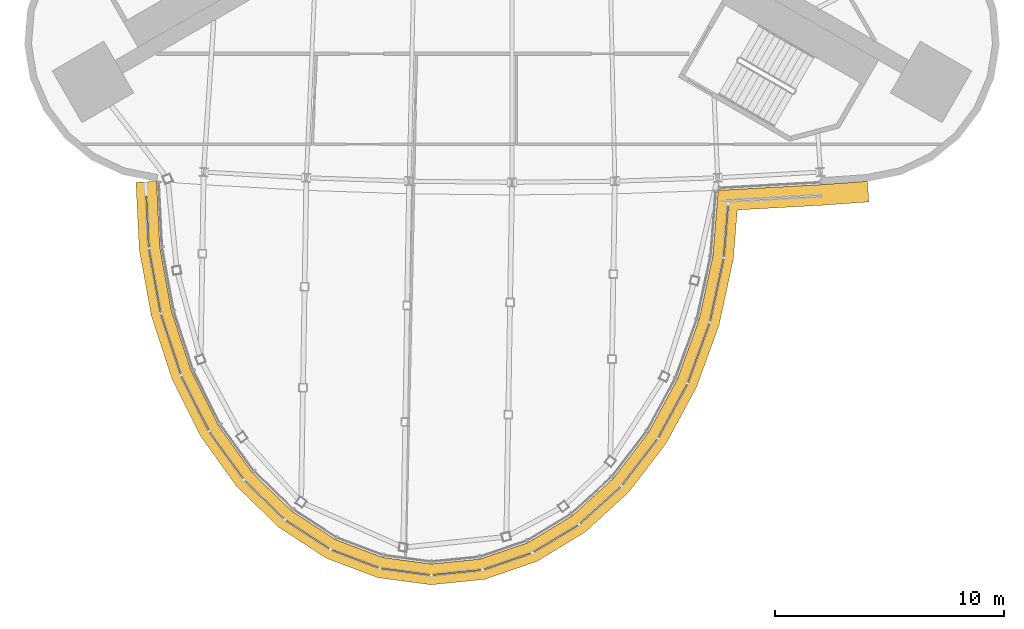
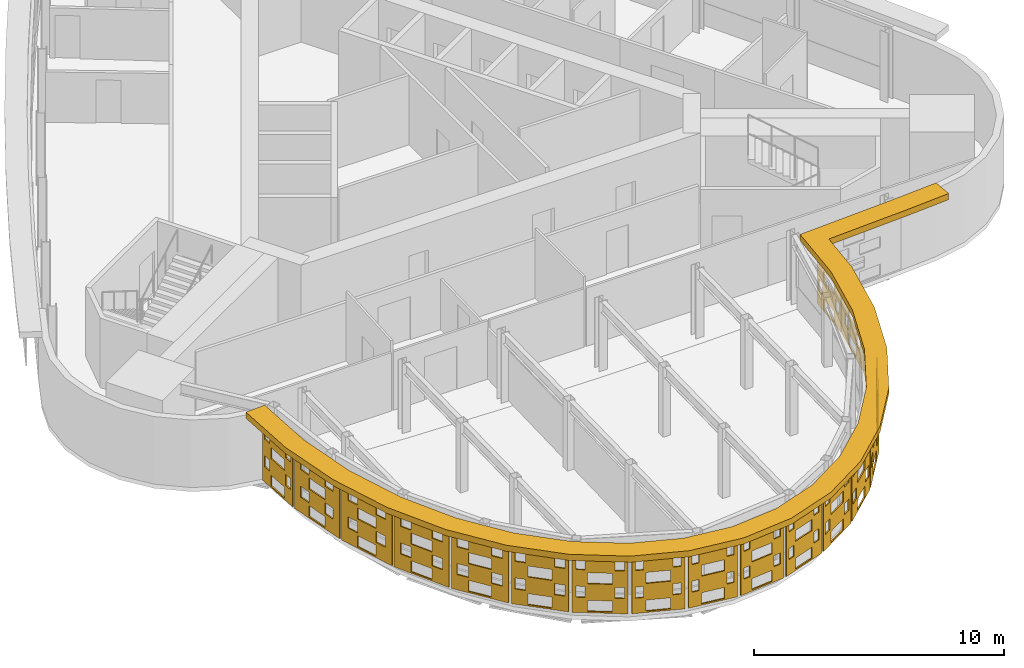
# One storey, part 13 of 15: 19 shading devices.
"""IFC4 building model written with IfcOpenShell, lengths in metres."""

from ifc_helpers import new_model, si_unit, direction, frame, origin, place, context, subcontext, project, spatial, polyline, outline, extrude, material, layer, layer_set, type_object, element, save


model = new_model("IFC4")

# Units and contexts
model_context = context("Model", 3, precision=1e-05, world=origin(), true_north=direction((0.0, 1.0)))
body_context = subcontext(model_context, "Body", "Model", "MODEL_VIEW")
ifc_project = project(units=[si_unit("LENGTHUNIT", "METRE"), si_unit("AREAUNIT", "SQUARE_METRE"), si_unit("VOLUMEUNIT", "CUBIC_METRE"), si_unit("PLANEANGLEUNIT", "RADIAN"), si_unit("MASSUNIT", "GRAM", prefix="KILO")], contexts=[model_context])

# Site, building, storey
site_placement = place(None, origin())
site = spatial("IfcSite", under=ifc_project, at=site_placement, CompositionType="ELEMENT")
building_placement = place(site_placement, origin())
building = spatial("IfcBuilding", under=site, at=building_placement, Name="Noor Cloister Tower", CompositionType="ELEMENT")
storey_placement = place(building_placement, frame((0.0, 0.0, 225.60009765625)))
storey = spatial("IfcBuildingStorey", under=building, at=storey_placement, Name="L58", CompositionType="ELEMENT", Elevation=225.60009765625)

# Shading devices
ifc_material_1 = material(Name="Limestone", Category="masonry")
ifc_layer = layer(ifc_material_1, 0.06005859375)
ifc_layer_set = layer_set([ifc_layer], Name="SCREEN woven limestone pod 35 percent open")
shading_device_type_1 = type_object("IfcShadingDeviceType", Name="SCREEN woven limestone pod 35 percent open", PredefinedType="USERDEFINED", material=ifc_layer_set)
shading_device_1_placement = place(storey_placement, frame((-15.8720703125, -16.65380859375, 1.849853515625), z_axis=(-0.998802653687, -0.048920946303, 0.0), x_axis=(0.048920946303, -0.998802653687, 0.0)))
element("IfcShadingDevice", 1, at=shading_device_1_placement, inside=storey, type_object=shading_device_type_1, Name="SCREEN L58 1", ObjectType="SCREEN", PredefinedType="USERDEFINED", context=body_context, shape_type="SweptSolid", body=[
    extrude(outline(polyline([(-1.11572265625, -1.35009765625), (1.11572265625, -1.35009765625), (1.11572265625, 1.35009765625), (-1.11572265625, 1.35009765625), (-1.11572265625, -1.35009765625)]), holes=[polyline([(-0.5, -1.282470703125), (0.5, -1.282470703125), (0.5, -0.742431640625), (-0.5, -0.742431640625), (-0.5, -1.282470703125)]), polyline([(0.60009765625, -0.607421875), (0.965576171875, -0.607421875), (0.965576171875, -0.0673828125), (0.60009765625, -0.0673828125), (0.60009765625, -0.607421875)]), polyline([(-0.965576171875, -0.607421875), (-0.60009765625, -0.607421875), (-0.60009765625, -0.0673828125), (-0.965576171875, -0.0673828125), (-0.965576171875, -0.607421875)]), polyline([(-0.5, 0.0673828125), (0.5, 0.0673828125), (0.5, 0.607421875), (-0.5, 0.607421875), (-0.5, 0.0673828125)]), polyline([(0.60009765625, 0.742431640625), (0.965576171875, 0.742431640625), (0.965576171875, 1.282470703125), (0.60009765625, 1.282470703125), (0.60009765625, 0.742431640625)]), polyline([(-0.965576171875, 0.742431640625), (-0.60009765625, 0.742431640625), (-0.60009765625, 1.282470703125), (-0.965576171875, 1.282470703125), (-0.965576171875, 0.742431640625)])]), origin(), (0.0, 0.0, 1.0), 0.059814453125),
])
shading_device_2_placement = place(storey_placement, frame((-15.5556640625, -19.240234375, 1.849853515625), z_axis=(-0.9838699101, -0.1788854382, 0.0), x_axis=(0.1788854382, -0.9838699101, 0.0)))
element("IfcShadingDevice", 2, at=shading_device_2_placement, inside=storey, type_object=shading_device_type_1, Name="SCREEN L58 2", ObjectType="SCREEN", PredefinedType="USERDEFINED", context=body_context, shape_type="SweptSolid", body=[
    extrude(outline(polyline([(-1.396240234375, -1.35009765625), (1.396240234375, -1.35009765625), (1.396240234375, 1.35009765625), (-1.396240234375, 1.35009765625), (-1.396240234375, -1.35009765625)]), holes=[polyline([(-0.5, -1.282470703125), (0.5, -1.282470703125), (0.5, -0.742431640625), (-0.5, -0.742431640625), (-0.5, -1.282470703125)]), polyline([(-1.0, -0.607421875), (-0.5, -0.607421875), (-0.5, -0.0673828125), (-1.0, -0.0673828125), (-1.0, -0.607421875)]), polyline([(0.5, -0.607421875), (1.0, -0.607421875), (1.0, -0.0673828125), (0.5, -0.0673828125), (0.5, -0.607421875)]), polyline([(-0.5, 0.0673828125), (0.5, 0.0673828125), (0.5, 0.607421875), (-0.5, 0.607421875), (-0.5, 0.0673828125)]), polyline([(-1.0, 0.742431640625), (-0.5, 0.742431640625), (-0.5, 1.282470703125), (-1.0, 1.282470703125), (-1.0, 0.742431640625)]), polyline([(0.5, 0.742431640625), (1.0, 0.742431640625), (1.0, 1.282470703125), (0.5, 1.282470703125), (0.5, 0.742431640625)])]), origin(), (0.0, 0.0, 1.0), 0.06005859375),
])
shading_device_3_placement = place(storey_placement, frame((-14.85595703125, -22.00341796875, 1.849853515625), z_axis=(-0.949894076132, -0.312571982317, 0.0), x_axis=(0.312571982317, -0.949894076132, 0.0)))
element("IfcShadingDevice", 3, at=shading_device_3_placement, inside=storey, type_object=shading_device_type_1, Name="SCREEN L58 3", ObjectType="SCREEN", PredefinedType="USERDEFINED", context=body_context, shape_type="SweptSolid", body=[
    extrude(outline(polyline([(-1.359375, -1.35009765625), (1.359375, -1.35009765625), (1.359375, 1.35009765625), (-1.359375, 1.35009765625), (-1.359375, -1.35009765625)]), holes=[polyline([(-0.5, -1.282470703125), (0.5, -1.282470703125), (0.5, -0.742431640625), (-0.5, -0.742431640625), (-0.5, -1.282470703125)]), polyline([(-1.0, -0.607421875), (-0.5, -0.607421875), (-0.5, -0.0673828125), (-1.0, -0.0673828125), (-1.0, -0.607421875)]), polyline([(0.5, -0.607421875), (1.0, -0.607421875), (1.0, -0.0673828125), (0.5, -0.0673828125), (0.5, -0.607421875)]), polyline([(-0.5, 0.0673828125), (0.5, 0.0673828125), (0.5, 0.607421875), (-0.5, 0.607421875), (-0.5, 0.0673828125)]), polyline([(-1.0, 0.742431640625), (-0.5, 0.742431640625), (-0.5, 1.282470703125), (-1.0, 1.282470703125), (-1.0, 0.742431640625)]), polyline([(0.5, 0.742431640625), (1.0, 0.742431640625), (1.0, 1.282470703125), (0.5, 1.282470703125), (0.5, 0.742431640625)])]), origin(), (0.0, 0.0, 1.0), 0.06005859375),
])
shading_device_4_placement = place(storey_placement, frame((-13.80712890625, -24.562255859375, 1.849853515625), z_axis=(-0.893609619956, -0.44884501459, 0.0), x_axis=(0.44884501459, -0.893609619956, 0.0)))
element("IfcShadingDevice", 4, at=shading_device_4_placement, inside=storey, type_object=shading_device_type_1, Name="SCREEN L58 4", ObjectType="SCREEN", PredefinedType="USERDEFINED", context=body_context, shape_type="SweptSolid", body=[
    extrude(outline(polyline([(-1.307861328125, -1.35009765625), (1.307861328125, -1.35009765625), (1.307861328125, 1.35009765625), (-1.307861328125, 1.35009765625), (-1.307861328125, -1.35009765625)]), holes=[polyline([(-0.5, -1.282470703125), (0.5, -1.282470703125), (0.5, -0.742431640625), (-0.5, -0.742431640625), (-0.5, -1.282470703125)]), polyline([(-1.0, -0.607421875), (-0.5, -0.607421875), (-0.5, -0.0673828125), (-1.0, -0.0673828125), (-1.0, -0.607421875)]), polyline([(0.5, -0.607421875), (1.0, -0.607421875), (1.0, -0.0673828125), (0.5, -0.0673828125), (0.5, -0.607421875)]), polyline([(-0.5, 0.0673828125), (0.5, 0.0673828125), (0.5, 0.607421875), (-0.5, 0.607421875), (-0.5, 0.0673828125)]), polyline([(-1.0, 0.742431640625), (-0.5, 0.742431640625), (-0.5, 1.282470703125), (-1.0, 1.282470703125), (-1.0, 0.742431640625)]), polyline([(0.5, 0.742431640625), (1.0, 0.742431640625), (1.0, 1.282470703125), (0.5, 1.282470703125), (0.5, 0.742431640625)])]), origin(), (0.0, 0.0, 1.0), 0.059814453125),
])
shading_device_5_placement = place(storey_placement, frame((-12.437744140625, -26.840087890625, 1.849853515625), z_axis=(-0.81014213461, -0.586233504441, 0.0), x_axis=(0.586233504441, -0.81014213461, 0.0)))
element("IfcShadingDevice", 5, at=shading_device_5_placement, inside=storey, type_object=shading_device_type_1, Name="SCREEN L58 5", ObjectType="SCREEN", PredefinedType="USERDEFINED", context=body_context, shape_type="SweptSolid", body=[
    extrude(outline(polyline([(-1.24658203125, -1.35009765625), (1.24658203125, -1.35009765625), (1.24658203125, 1.35009765625), (-1.24658203125, 1.35009765625), (-1.24658203125, -1.35009765625)]), holes=[polyline([(-0.5, -1.282470703125), (0.5, -1.282470703125), (0.5, -0.742431640625), (-0.5, -0.742431640625), (-0.5, -1.282470703125)]), polyline([(-1.0, -0.607421875), (-0.5, -0.607421875), (-0.5, -0.0673828125), (-1.0, -0.0673828125), (-1.0, -0.607421875)]), polyline([(0.5, -0.607421875), (1.0, -0.607421875), (1.0, -0.0673828125), (0.5, -0.0673828125), (0.5, -0.607421875)]), polyline([(-0.5, 0.0673828125), (0.5, 0.0673828125), (0.5, 0.607421875), (-0.5, 0.607421875), (-0.5, 0.0673828125)]), polyline([(-1.0, 0.742431640625), (-0.5, 0.742431640625), (-0.5, 1.282470703125), (-1.0, 1.282470703125), (-1.0, 0.742431640625)]), polyline([(0.5, 0.742431640625), (1.0, 0.742431640625), (1.0, 1.282470703125), (0.5, 1.282470703125), (0.5, 0.742431640625)])]), origin(), (0.0, 0.0, 1.0), 0.06005859375),
])
shading_device_6_placement = place(storey_placement, frame((-10.785888671875, -28.767822265625, 1.849853515625), z_axis=(-0.696845584905, -0.717221186803, 0.0), x_axis=(0.717221186803, -0.696845584905, 0.0)))
element("IfcShadingDevice", 6, at=shading_device_6_placement, inside=storey, type_object=shading_device_type_1, Name="SCREEN L58 6", ObjectType="SCREEN", PredefinedType="USERDEFINED", context=body_context, shape_type="SweptSolid", body=[
    extrude(outline(polyline([(-1.182373046875, -1.35009765625), (1.182373046875, -1.35009765625), (1.182373046875, 1.35009765625), (-1.182373046875, 1.35009765625), (-1.182373046875, -1.35009765625)]), holes=[polyline([(-0.5, -1.282470703125), (0.5, -1.282470703125), (0.5, -0.742431640625), (-0.5, -0.742431640625), (-0.5, -1.282470703125)]), polyline([(0.60009765625, -0.607421875), (1.032470703125, -0.607421875), (1.032470703125, -0.0673828125), (0.60009765625, -0.0673828125), (0.60009765625, -0.607421875)]), polyline([(-1.032470703125, -0.607421875), (-0.60009765625, -0.607421875), (-0.60009765625, -0.0673828125), (-1.032470703125, -0.0673828125), (-1.032470703125, -0.607421875)]), polyline([(-0.5, 0.0673828125), (0.5, 0.0673828125), (0.5, 0.607421875), (-0.5, 0.607421875), (-0.5, 0.0673828125)]), polyline([(0.60009765625, 0.742431640625), (1.032470703125, 0.742431640625), (1.032470703125, 1.282470703125), (0.60009765625, 1.282470703125), (0.60009765625, 0.742431640625)]), polyline([(-1.032470703125, 0.742431640625), (-0.60009765625, 0.742431640625), (-0.60009765625, 1.282470703125), (-1.032470703125, 1.282470703125), (-1.032470703125, 0.742431640625)])]), origin(), (0.0, 0.0, 1.0), 0.059814453125),
])
shading_device_7_placement = place(storey_placement, frame((-8.897705078125, -30.284423828125, 1.849853515625), z_axis=(-0.545274379459, -0.838257628123, 0.0), x_axis=(0.838257628123, -0.545274379459, 0.0)))
element("IfcShadingDevice", 7, at=shading_device_7_placement, inside=storey, type_object=shading_device_type_1, Name="SCREEN L58 7", ObjectType="SCREEN", PredefinedType="USERDEFINED", context=body_context, shape_type="SweptSolid", body=[
    extrude(outline(polyline([(-1.122802734375, -1.35009765625), (1.122802734375, -1.35009765625), (1.122802734375, 1.35009765625), (-1.122802734375, 1.35009765625), (-1.122802734375, -1.35009765625)]), holes=[polyline([(-0.5, -1.282470703125), (0.5, -1.282470703125), (0.5, -0.742431640625), (-0.5, -0.742431640625), (-0.5, -1.282470703125)]), polyline([(0.60009765625, -0.607421875), (0.972900390625, -0.607421875), (0.972900390625, -0.0673828125), (0.60009765625, -0.0673828125), (0.60009765625, -0.607421875)]), polyline([(-0.972900390625, -0.607421875), (-0.60009765625, -0.607421875), (-0.60009765625, -0.0673828125), (-0.972900390625, -0.0673828125), (-0.972900390625, -0.607421875)]), polyline([(-0.5, 0.0673828125), (0.5, 0.0673828125), (0.5, 0.607421875), (-0.5, 0.607421875), (-0.5, 0.0673828125)]), polyline([(0.60009765625, 0.742431640625), (0.972900390625, 0.742431640625), (0.972900390625, 1.282470703125), (0.60009765625, 1.282470703125), (0.60009765625, 0.742431640625)]), polyline([(-0.972900390625, 0.742431640625), (-0.60009765625, 0.742431640625), (-0.60009765625, 1.282470703125), (-0.972900390625, 1.282470703125), (-0.972900390625, 0.742431640625)])]), origin(), (0.0, 0.0, 1.0), 0.06005859375),
])
shading_device_8_placement = place(storey_placement, frame((-6.828369140625, -31.340087890625, 1.849853515625), z_axis=(-0.355146418402, -0.934810687517, 0.0), x_axis=(0.934810687517, -0.355146418402, 0.0)))
element("IfcShadingDevice", 8, at=shading_device_8_placement, inside=storey, type_object=shading_device_type_1, Name="SCREEN L58 8", ObjectType="SCREEN", PredefinedType="USERDEFINED", context=body_context, shape_type="SweptSolid", body=[
    extrude(outline(polyline([(-1.07666015625, -1.35009765625), (1.07666015625, -1.35009765625), (1.07666015625, 1.35009765625), (-1.07666015625, 1.35009765625), (-1.07666015625, -1.35009765625)]), holes=[polyline([(-0.5, -1.282470703125), (0.5, -1.282470703125), (0.5, -0.742431640625), (-0.5, -0.742431640625), (-0.5, -1.282470703125)]), polyline([(0.60009765625, -0.607421875), (0.9267578125, -0.607421875), (0.9267578125, -0.0673828125), (0.60009765625, -0.0673828125), (0.60009765625, -0.607421875)]), polyline([(-0.9267578125, -0.607421875), (-0.60009765625, -0.607421875), (-0.60009765625, -0.0673828125), (-0.9267578125, -0.0673828125), (-0.9267578125, -0.607421875)]), polyline([(-0.5, 0.0673828125), (0.5, 0.0673828125), (0.5, 0.607421875), (-0.5, 0.607421875), (-0.5, 0.0673828125)]), polyline([(0.60009765625, 0.742431640625), (0.9267578125, 0.742431640625), (0.9267578125, 1.282470703125), (0.60009765625, 1.282470703125), (0.60009765625, 0.742431640625)]), polyline([(-0.9267578125, 0.742431640625), (-0.60009765625, 0.742431640625), (-0.60009765625, 1.282470703125), (-0.9267578125, 1.282470703125), (-0.9267578125, 0.742431640625)])]), origin(), (0.0, 0.0, 1.0), 0.059814453125),
])
shading_device_9_placement = place(storey_placement, frame((-4.641357421875, -31.896240234375, 1.849853515625), z_axis=(-0.134025693798, -0.99097785717, 0.0), x_axis=(0.99097785717, -0.134025693798, 0.0)))
element("IfcShadingDevice", 9, at=shading_device_9_placement, inside=storey, type_object=shading_device_type_1, Name="SCREEN L58 9", ObjectType="SCREEN", PredefinedType="USERDEFINED", context=body_context, shape_type="SweptSolid", body=[
    extrude(outline(polyline([(-1.05126953125, -1.35009765625), (1.05126953125, -1.35009765625), (1.05126953125, 1.35009765625), (-1.05126953125, 1.35009765625), (-1.05126953125, -1.35009765625)]), holes=[polyline([(-0.5, -1.282470703125), (0.5, -1.282470703125), (0.5, -0.742431640625), (-0.5, -0.742431640625), (-0.5, -1.282470703125)]), polyline([(0.60009765625, -0.607421875), (0.9013671875, -0.607421875), (0.9013671875, -0.0673828125), (0.60009765625, -0.0673828125), (0.60009765625, -0.607421875)]), polyline([(-0.9013671875, -0.607421875), (-0.60009765625, -0.607421875), (-0.60009765625, -0.0673828125), (-0.9013671875, -0.0673828125), (-0.9013671875, -0.607421875)]), polyline([(-0.5, 0.0673828125), (0.5, 0.0673828125), (0.5, 0.607421875), (-0.5, 0.607421875), (-0.5, 0.0673828125)]), polyline([(0.60009765625, 0.742431640625), (0.9013671875, 0.742431640625), (0.9013671875, 1.282470703125), (0.60009765625, 1.282470703125), (0.60009765625, 0.742431640625)]), polyline([(-0.9013671875, 0.742431640625), (-0.60009765625, 0.742431640625), (-0.60009765625, 1.282470703125), (-0.9013671875, 1.282470703125), (-0.9013671875, 0.742431640625)])]), origin(), (0.0, 0.0, 1.0), 0.06005859375),
])
shading_device_10_placement = place(storey_placement, frame((-2.408447265625, -31.93212890625, 1.849853515625), z_axis=(0.101925414299, -0.994792043555, 0.0), x_axis=(0.994792043555, 0.101925414299, 0.0)))
element("IfcShadingDevice", 10, at=shading_device_10_placement, inside=storey, type_object=shading_device_type_1, Name="SCREEN L58 10", ObjectType="SCREEN", PredefinedType="USERDEFINED", context=body_context, shape_type="SweptSolid", body=[
    extrude(outline(polyline([(-1.05126953125, -1.35009765625), (1.05126953125, -1.35009765625), (1.05126953125, 1.35009765625), (-1.05126953125, 1.35009765625), (-1.05126953125, -1.35009765625)]), holes=[polyline([(-0.5, -1.282470703125), (0.5, -1.282470703125), (0.5, -0.742431640625), (-0.5, -0.742431640625), (-0.5, -1.282470703125)]), polyline([(0.60009765625, -0.607421875), (0.9013671875, -0.607421875), (0.9013671875, -0.0673828125), (0.60009765625, -0.0673828125), (0.60009765625, -0.607421875)]), polyline([(-0.9013671875, -0.607421875), (-0.60009765625, -0.607421875), (-0.60009765625, -0.0673828125), (-0.9013671875, -0.0673828125), (-0.9013671875, -0.607421875)]), polyline([(-0.5, 0.0673828125), (0.5, 0.0673828125), (0.5, 0.607421875), (-0.5, 0.607421875), (-0.5, 0.0673828125)]), polyline([(0.60009765625, 0.742431640625), (0.9013671875, 0.742431640625), (0.9013671875, 1.282470703125), (0.60009765625, 1.282470703125), (0.60009765625, 0.742431640625)]), polyline([(-0.9013671875, 0.742431640625), (-0.60009765625, 0.742431640625), (-0.60009765625, 1.282470703125), (-0.9013671875, 1.282470703125), (-0.9013671875, 0.742431640625)])]), origin(), (0.0, 0.0, 1.0), 0.059814453125),
])
shading_device_11_placement = place(storey_placement, frame((-0.204833984375, -31.4462890625, 1.849853515625), z_axis=(0.325990683319, -0.945372981626, 0.0), x_axis=(0.945372981626, 0.325990683319, 0.0)))
element("IfcShadingDevice", 11, at=shading_device_11_placement, inside=storey, type_object=shading_device_type_1, Name="SCREEN L58 11", ObjectType="SCREEN", PredefinedType="USERDEFINED", context=body_context, shape_type="SweptSolid", body=[
    extrude(outline(polyline([(-1.07666015625, -1.35009765625), (1.07666015625, -1.35009765625), (1.07666015625, 1.35009765625), (-1.07666015625, 1.35009765625), (-1.07666015625, -1.35009765625)]), holes=[polyline([(-0.5, -1.282470703125), (0.5, -1.282470703125), (0.5, -0.742431640625), (-0.5, -0.742431640625), (-0.5, -1.282470703125)]), polyline([(0.60009765625, -0.607421875), (0.9267578125, -0.607421875), (0.9267578125, -0.0673828125), (0.60009765625, -0.0673828125), (0.60009765625, -0.607421875)]), polyline([(-0.9267578125, -0.607421875), (-0.60009765625, -0.607421875), (-0.60009765625, -0.0673828125), (-0.9267578125, -0.0673828125), (-0.9267578125, -0.607421875)]), polyline([(-0.5, 0.0673828125), (0.5, 0.0673828125), (0.5, 0.607421875), (-0.5, 0.607421875), (-0.5, 0.0673828125)]), polyline([(0.60009765625, 0.742431640625), (0.9267578125, 0.742431640625), (0.9267578125, 1.282470703125), (0.60009765625, 1.282470703125), (0.60009765625, 0.742431640625)]), polyline([(-0.9267578125, 0.742431640625), (-0.60009765625, 0.742431640625), (-0.60009765625, 1.282470703125), (-0.9267578125, 1.282470703125), (-0.9267578125, 0.742431640625)])]), origin(), (0.0, 0.0, 1.0), 0.059814453125),
])
shading_device_12_placement = place(storey_placement, frame((1.8974609375, -30.457763671875, 1.849853515625), z_axis=(0.517488728384, -0.855690023312, 0.0), x_axis=(0.855690023312, 0.517488728384, 0.0)))
element("IfcShadingDevice", 12, at=shading_device_12_placement, inside=storey, type_object=shading_device_type_1, Name="SCREEN L58 12", ObjectType="SCREEN", PredefinedType="USERDEFINED", context=body_context, shape_type="SweptSolid", body=[
    extrude(outline(polyline([(-1.122802734375, -1.35009765625), (1.122802734375, -1.35009765625), (1.122802734375, 1.35009765625), (-1.122802734375, 1.35009765625), (-1.122802734375, -1.35009765625)]), holes=[polyline([(-0.5, -1.282470703125), (0.5, -1.282470703125), (0.5, -0.742431640625), (-0.5, -0.742431640625), (-0.5, -1.282470703125)]), polyline([(0.60009765625, -0.607421875), (0.972900390625, -0.607421875), (0.972900390625, -0.0673828125), (0.60009765625, -0.0673828125), (0.60009765625, -0.607421875)]), polyline([(-0.972900390625, -0.607421875), (-0.60009765625, -0.607421875), (-0.60009765625, -0.0673828125), (-0.972900390625, -0.0673828125), (-0.972900390625, -0.607421875)]), polyline([(-0.5, 0.0673828125), (0.5, 0.0673828125), (0.5, 0.607421875), (-0.5, 0.607421875), (-0.5, 0.0673828125)]), polyline([(0.60009765625, 0.742431640625), (0.972900390625, 0.742431640625), (0.972900390625, 1.282470703125), (0.60009765625, 1.282470703125), (0.60009765625, 0.742431640625)]), polyline([(-0.972900390625, 0.742431640625), (-0.60009765625, 0.742431640625), (-0.60009765625, 1.282470703125), (-0.972900390625, 1.282470703125), (-0.972900390625, 0.742431640625)])]), origin(), (0.0, 0.0, 1.0), 0.059814453125),
])
shading_device_13_placement = place(storey_placement, frame((3.833251953125, -29.002197265625, 1.849853515625), z_axis=(0.671659103057, -0.740860343979, 0.0), x_axis=(0.740860343979, 0.671659103057, 0.0)))
element("IfcShadingDevice", 13, at=shading_device_13_placement, inside=storey, type_object=shading_device_type_1, Name="SCREEN L58 13", ObjectType="SCREEN", PredefinedType="USERDEFINED", context=body_context, shape_type="SweptSolid", body=[
    extrude(outline(polyline([(-1.182373046875, -1.35009765625), (1.182373046875, -1.35009765625), (1.182373046875, 1.35009765625), (-1.182373046875, 1.35009765625), (-1.182373046875, -1.35009765625)]), holes=[polyline([(-0.5, -1.282470703125), (0.5, -1.282470703125), (0.5, -0.742431640625), (-0.5, -0.742431640625), (-0.5, -1.282470703125)]), polyline([(0.60009765625, -0.607421875), (1.032470703125, -0.607421875), (1.032470703125, -0.0673828125), (0.60009765625, -0.0673828125), (0.60009765625, -0.607421875)]), polyline([(-1.032470703125, -0.607421875), (-0.60009765625, -0.607421875), (-0.60009765625, -0.0673828125), (-1.032470703125, -0.0673828125), (-1.032470703125, -0.607421875)]), polyline([(-0.5, 0.0673828125), (0.5, 0.0673828125), (0.5, 0.607421875), (-0.5, 0.607421875), (-0.5, 0.0673828125)]), polyline([(0.60009765625, 0.742431640625), (1.032470703125, 0.742431640625), (1.032470703125, 1.282470703125), (0.60009765625, 1.282470703125), (0.60009765625, 0.742431640625)]), polyline([(-1.032470703125, 0.742431640625), (-0.60009765625, 0.742431640625), (-0.60009765625, 1.282470703125), (-1.032470703125, 1.282470703125), (-1.032470703125, 0.742431640625)])]), origin(), (0.0, 0.0, 1.0), 0.06005859375),
])
shading_device_14_placement = place(storey_placement, frame((5.5458984375, -27.128662109375, 1.849853515625), z_axis=(0.792623989105, -0.60971076085, 0.0), x_axis=(0.60971076085, 0.792623989105, 0.0)))
element("IfcShadingDevice", 14, at=shading_device_14_placement, inside=storey, type_object=shading_device_type_1, Name="SCREEN L58 14", ObjectType="SCREEN", PredefinedType="USERDEFINED", context=body_context, shape_type="SweptSolid", body=[
    extrude(outline(polyline([(-1.24658203125, -1.35009765625), (1.24658203125, -1.35009765625), (1.24658203125, 1.35009765625), (-1.24658203125, 1.35009765625), (-1.24658203125, -1.35009765625)]), holes=[polyline([(-0.5, -1.282470703125), (0.5, -1.282470703125), (0.5, -0.742431640625), (-0.5, -0.742431640625), (-0.5, -1.282470703125)]), polyline([(-1.0, -0.607421875), (-0.5, -0.607421875), (-0.5, -0.0673828125), (-1.0, -0.0673828125), (-1.0, -0.607421875)]), polyline([(0.5, -0.607421875), (1.0, -0.607421875), (1.0, -0.0673828125), (0.5, -0.0673828125), (0.5, -0.607421875)]), polyline([(-0.5, 0.0673828125), (0.5, 0.0673828125), (0.5, 0.607421875), (-0.5, 0.607421875), (-0.5, 0.0673828125)]), polyline([(-1.0, 0.742431640625), (-0.5, 0.742431640625), (-0.5, 1.282470703125), (-1.0, 1.282470703125), (-1.0, 0.742431640625)]), polyline([(0.5, 0.742431640625), (1.0, 0.742431640625), (1.0, 1.282470703125), (0.5, 1.282470703125), (0.5, 0.742431640625)])]), origin(), (0.0, 0.0, 1.0), 0.06005859375),
])
shading_device_15_placement = place(storey_placement, frame((6.98779296875, -24.89599609375, 1.849853515625), z_axis=(0.879291966537, -0.476283148541, 0.0), x_axis=(0.476283148541, 0.879291966537, 0.0)))
element("IfcShadingDevice", 15, at=shading_device_15_placement, inside=storey, type_object=shading_device_type_1, Name="SCREEN L58 15", ObjectType="SCREEN", PredefinedType="USERDEFINED", context=body_context, shape_type="SweptSolid", body=[
    extrude(outline(polyline([(-1.307861328125, -1.35009765625), (1.307861328125, -1.35009765625), (1.307861328125, 1.35009765625), (-1.307861328125, 1.35009765625), (-1.307861328125, -1.35009765625)]), holes=[polyline([(-0.5, -1.282470703125), (0.5, -1.282470703125), (0.5, -0.742431640625), (-0.5, -0.742431640625), (-0.5, -1.282470703125)]), polyline([(-1.0, -0.607421875), (-0.5, -0.607421875), (-0.5, -0.0673828125), (-1.0, -0.0673828125), (-1.0, -0.607421875)]), polyline([(0.5, -0.607421875), (1.0, -0.607421875), (1.0, -0.0673828125), (0.5, -0.0673828125), (0.5, -0.607421875)]), polyline([(-0.5, 0.0673828125), (0.5, 0.0673828125), (0.5, 0.607421875), (-0.5, 0.607421875), (-0.5, 0.0673828125)]), polyline([(-1.0, 0.742431640625), (-0.5, 0.742431640625), (-0.5, 1.282470703125), (-1.0, 1.282470703125), (-1.0, 0.742431640625)]), polyline([(0.5, 0.742431640625), (1.0, 0.742431640625), (1.0, 1.282470703125), (0.5, 1.282470703125), (0.5, 0.742431640625)])]), origin(), (0.0, 0.0, 1.0), 0.06005859375),
])
shading_device_16_placement = place(storey_placement, frame((8.1181640625, -22.3720703125, 1.849853515625), z_axis=(0.939793423488, -0.341743063087, 0.0), x_axis=(0.341743063087, 0.939793423488, 0.0)))
element("IfcShadingDevice", 16, at=shading_device_16_placement, inside=storey, type_object=shading_device_type_1, Name="SCREEN L58 16", ObjectType="SCREEN", PredefinedType="USERDEFINED", context=body_context, shape_type="SweptSolid", body=[
    extrude(outline(polyline([(-1.359375, -1.35009765625), (1.359375, -1.35009765625), (1.359375, 1.35009765625), (-1.359375, 1.35009765625), (-1.359375, -1.35009765625)]), holes=[polyline([(-0.5, -1.282470703125), (0.5, -1.282470703125), (0.5, -0.742431640625), (-0.5, -0.742431640625), (-0.5, -1.282470703125)]), polyline([(-1.0, -0.607421875), (-0.5, -0.607421875), (-0.5, -0.0673828125), (-1.0, -0.0673828125), (-1.0, -0.607421875)]), polyline([(0.5, -0.607421875), (1.0, -0.607421875), (1.0, -0.0673828125), (0.5, -0.0673828125), (0.5, -0.607421875)]), polyline([(-0.5, 0.0673828125), (0.5, 0.0673828125), (0.5, 0.607421875), (-0.5, 0.607421875), (-0.5, 0.0673828125)]), polyline([(-1.0, 0.742431640625), (-0.5, 0.742431640625), (-0.5, 1.282470703125), (-1.0, 1.282470703125), (-1.0, 0.742431640625)]), polyline([(0.5, 0.742431640625), (1.0, 0.742431640625), (1.0, 1.282470703125), (0.5, 1.282470703125), (0.5, 0.742431640625)])]), origin(), (0.0, 0.0, 1.0), 0.06005859375),
])
shading_device_17_placement = place(storey_placement, frame((8.90625, -19.632568359375, 1.849853515625), z_axis=(0.977323140027, -0.211753347006, 0.0), x_axis=(0.211753347006, 0.977323140027, 0.0)))
element("IfcShadingDevice", 17, at=shading_device_17_placement, inside=storey, type_object=shading_device_type_1, Name="SCREEN L58 17", ObjectType="SCREEN", PredefinedType="USERDEFINED", context=body_context, shape_type="SweptSolid", body=[
    extrude(outline(polyline([(-1.396240234375, -1.35009765625), (1.396240234375, -1.35009765625), (1.396240234375, 1.35009765625), (-1.396240234375, 1.35009765625), (-1.396240234375, -1.35009765625)]), holes=[polyline([(-0.5, -1.282470703125), (0.5, -1.282470703125), (0.5, -0.742431640625), (-0.5, -0.742431640625), (-0.5, -1.282470703125)]), polyline([(-1.0, -0.607421875), (-0.5, -0.607421875), (-0.5, -0.0673828125), (-1.0, -0.0673828125), (-1.0, -0.607421875)]), polyline([(0.5, -0.607421875), (1.0, -0.607421875), (1.0, -0.0673828125), (0.5, -0.0673828125), (0.5, -0.607421875)]), polyline([(-0.5, 0.0673828125), (0.5, 0.0673828125), (0.5, 0.607421875), (-0.5, 0.607421875), (-0.5, 0.0673828125)]), polyline([(-1.0, 0.742431640625), (-0.5, 0.742431640625), (-0.5, 1.282470703125), (-1.0, 1.282470703125), (-1.0, 0.742431640625)]), polyline([(0.5, 0.742431640625), (1.0, 0.742431640625), (1.0, 1.282470703125), (0.5, 1.282470703125), (0.5, 0.742431640625)])]), origin(), (0.0, 0.0, 1.0), 0.06005859375),
])
shading_device_18_placement = place(storey_placement, frame((9.30517578125, -17.0576171875, 1.849853515625), z_axis=(0.996684615823, -0.081362009455, 0.0), x_axis=(0.081362009455, 0.996684615823, 0.0)))
element("IfcShadingDevice", 18, at=shading_device_18_placement, inside=storey, type_object=shading_device_type_1, Name="SCREEN L58 18", ObjectType="SCREEN", PredefinedType="USERDEFINED", context=body_context, shape_type="SweptSolid", body=[
    extrude(outline(polyline([(-1.11572265625, -1.35009765625), (1.11572265625, -1.35009765625), (1.11572265625, 1.35009765625), (-1.11572265625, 1.35009765625), (-1.11572265625, -1.35009765625)]), holes=[polyline([(-0.5, -1.282470703125), (0.5, -1.282470703125), (0.5, -0.742431640625), (-0.5, -0.742431640625), (-0.5, -1.282470703125)]), polyline([(0.60009765625, -0.607421875), (0.965576171875, -0.607421875), (0.965576171875, -0.0673828125), (0.60009765625, -0.0673828125), (0.60009765625, -0.607421875)]), polyline([(-0.965576171875, -0.607421875), (-0.60009765625, -0.607421875), (-0.60009765625, -0.0673828125), (-0.965576171875, -0.0673828125), (-0.965576171875, -0.607421875)]), polyline([(-0.5, 0.0673828125), (0.5, 0.0673828125), (0.5, 0.607421875), (-0.5, 0.607421875), (-0.5, 0.0673828125)]), polyline([(0.60009765625, 0.742431640625), (0.965576171875, 0.742431640625), (0.965576171875, 1.282470703125), (0.60009765625, 1.282470703125), (0.60009765625, 0.742431640625)]), polyline([(-0.965576171875, 0.742431640625), (-0.60009765625, 0.742431640625), (-0.60009765625, 1.282470703125), (-0.965576171875, 1.282470703125), (-0.965576171875, 0.742431640625)])]), origin(), (0.0, 0.0, 1.0), 0.06005859375),
])
ifc_material_2 = material(Name="Limestone", Category="masonry")
shading_device_type_2 = type_object("IfcShadingDeviceType", Name="SUNSHADE limestone band 900", PredefinedType="USERDEFINED", material=ifc_material_2)
shading_device_19_placement = place(storey_placement, frame((0.0, 0.0, 3.2998046875)))
element("IfcShadingDevice", 19, at=shading_device_19_placement, inside=storey, type_object=shading_device_type_2, Name="SUNSHADE L58 2", ObjectType="SUNSHADE", PredefinedType="USERDEFINED", context=body_context, shape_type="SweptSolid", body=[
    extrude(outline(polyline([(-16.40625, -14.942138671875), (-16.26318359375, -17.869140625), (-15.733154296875, -20.77490234375), (-14.83251953125, -23.516845703125), (-13.583740234375, -26.015380859375), (-12.01806640625, -28.196044921875), (-10.175048828125, -29.990478515625), (-8.103759765625, -31.337646484375), (-5.865478515625, -32.18603515625), (-3.5341796875, -32.498779296875), (-1.1943359375, -32.260986328125), (1.070068359375, -31.48486328125), (3.18359375, -30.204833984375), (5.083251953125, -28.47021484375), (6.718017578125, -26.341064453125), (8.04638671875, -23.884033203125), (9.034423828125, -21.172119140625), (9.6572265625, -18.284912109375), (9.83056640625, -16.146484375), (13.547119140625, -15.940673828125), (15.571533203125, -15.7958984375), (15.50732421875, -14.898193359375), (13.489990234375, -15.04248046875), (8.9970703125, -15.291259765625), (8.764892578125, -18.153076171875), (8.167724609375, -20.922119140625), (7.22314453125, -23.513916015625), (5.96044921875, -25.85009765625), (4.417724609375, -27.859130859375), (2.641845703125, -29.480712890625), (0.686767578125, -30.6650390625), (-1.38818359375, -31.376220703125), (-3.519775390625, -31.5927734375), (-5.643310546875, -31.307861328125), (-7.6943359375, -30.530517578125), (-9.6103515625, -29.2841796875), (-11.333251953125, -27.6064453125), (-12.810791015625, -25.548828125), (-13.998046875, -23.173583984375), (-14.85888671875, -20.552734375), (-15.366943359375, -17.76611328125), (-15.50732421875, -14.898193359375), (-16.40625, -14.942138671875)])), origin(), (0.0, 0.0, 1.0), 0.300048828125),
])

save(model, "model.ifc")
